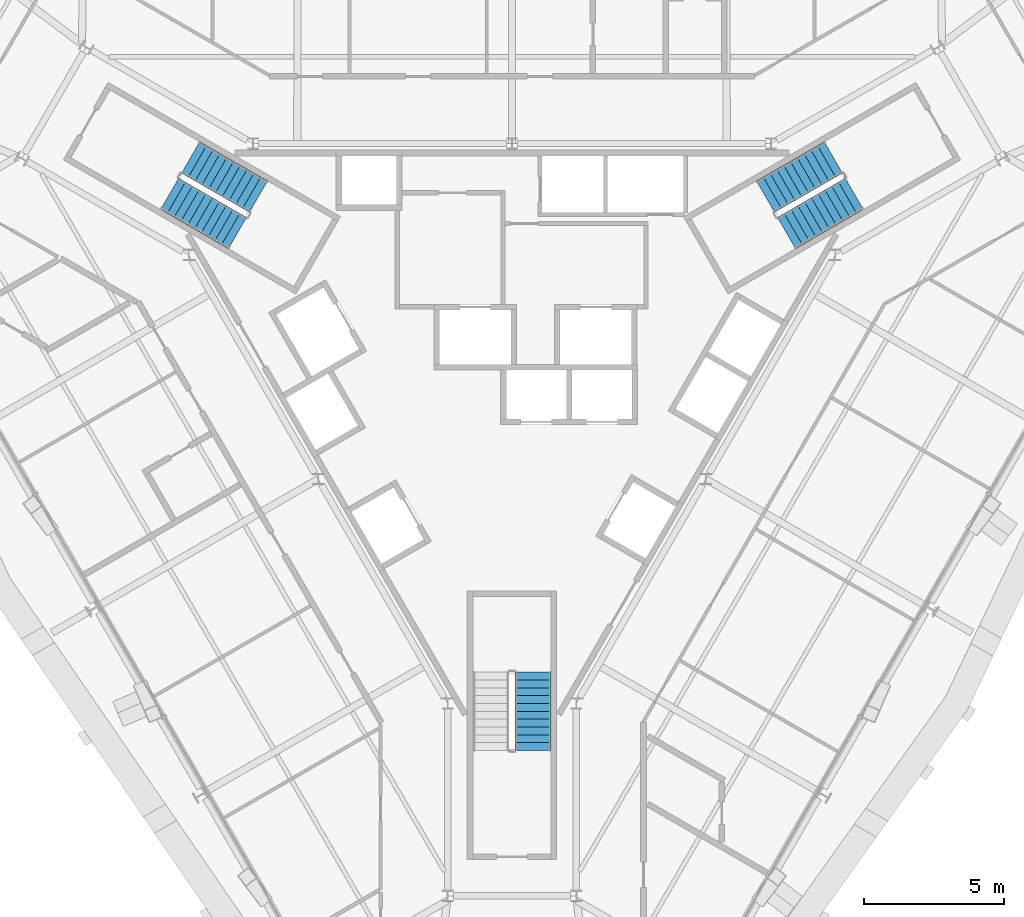
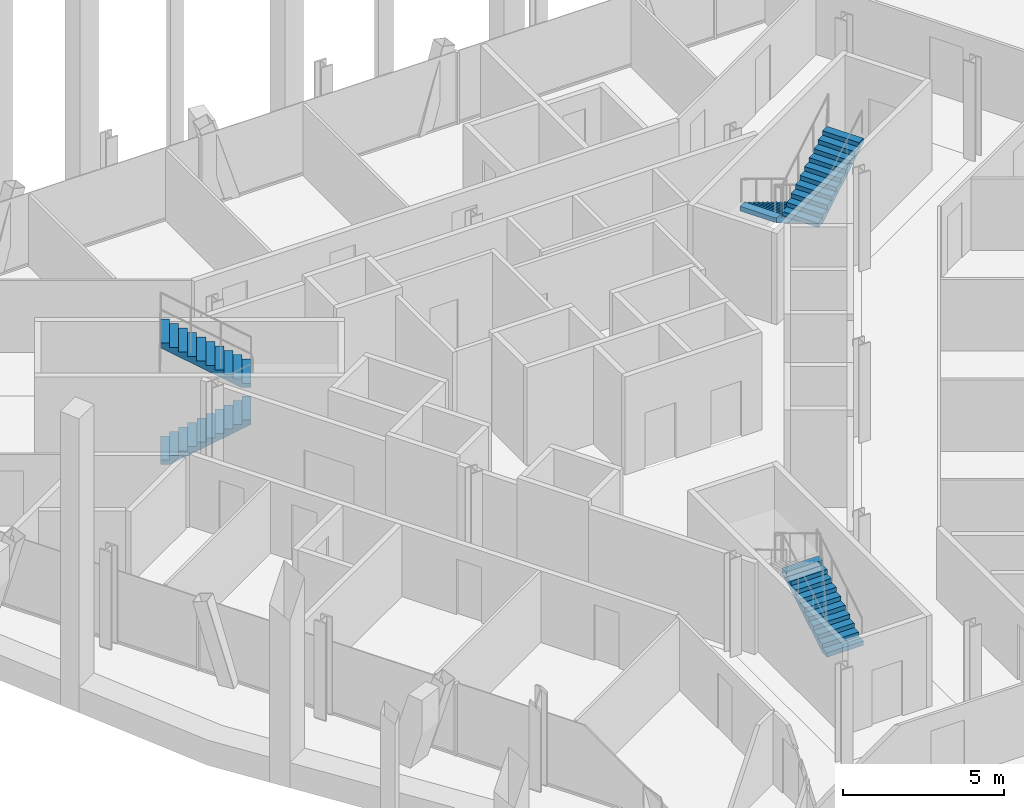
# One storey, part 11 of 13: 5 stair flights, 3 elements without a shape of their own.
"""IFC4 building model written with IfcOpenShell, lengths in metres."""

from ifc_helpers import new_model, si_unit, direction, frame, origin, place, context, subcontext, project, spatial, polyline, outline, extrude, material, type_object, element, aggregate, save


model = new_model("IFC4")

# Units and contexts
model_context = context("Model", 3, precision=1e-05, world=origin(), true_north=direction((0.0, 1.0)))
body_context = subcontext(model_context, "Body", "Model", "MODEL_VIEW")
ifc_project = project(units=[si_unit("LENGTHUNIT", "METRE"), si_unit("AREAUNIT", "SQUARE_METRE"), si_unit("VOLUMEUNIT", "CUBIC_METRE"), si_unit("PLANEANGLEUNIT", "RADIAN"), si_unit("MASSUNIT", "GRAM", prefix="KILO")], contexts=[model_context])

# Site, building, storey
site_placement = place(None, origin())
site = spatial("IfcSite", under=ifc_project, at=site_placement, CompositionType="ELEMENT")
building_placement = place(site_placement, origin())
building = spatial("IfcBuilding", under=site, at=building_placement, Name="Verrane Prism Tower", CompositionType="ELEMENT")
storey_placement = place(building_placement, frame((0.0, 0.0, 159.89990234375)))
storey = spatial("IfcBuildingStorey", under=building, at=storey_placement, Name="L39", CompositionType="ELEMENT", Elevation=159.89990234375)

# Stair, stair flights
ifc_material_1 = material(Name="Concrete C40/50", Category="concrete")
stair_type = type_object("IfcStairType", Name="Exit stair 1300 dog-leg precast concrete C40/50", PredefinedType="HALF_TURN_STAIR", material=ifc_material_1)
stair_1_placement = place(storey_placement, origin())
stair_1 = element("IfcStair", 1, at=stair_1_placement, inside=storey, type_object=stair_type, Name="Stair 1 L39", PredefinedType="HALF_TURN_STAIR")
ifc_material_2 = material(Name="Concrete C40/50", Category="concrete")
stair_flight_type = type_object("IfcStairFlightType", Name="Stair flight 1300 precast concrete C40/50", PredefinedType="STRAIGHT", material=ifc_material_2)
stair_flight_1_placement = place(storey_placement, frame((11.489501953125, 7.49951171875, 0.0), z_axis=(0.0, 0.0, 1.0), x_axis=(-0.866025403784, -0.5, 0.0)))
stair_flight_1 = element("IfcStairFlight", 2, at=stair_flight_1_placement, type_object=stair_flight_type, Name="Stair 1 flight 1", NumberOfRisers=11, NumberOfTreads=10, PredefinedType="STRAIGHT", RiserHeight=0.168181818, TreadLength=0.28, context=body_context, shape_type="SweptSolid", body=[
    extrude(outline(polyline([(0.0, 0.0), (0.0, 0.168212890625), (0.280029296875, 0.168212890625), (0.280029296875, 0.33642578125), (0.56005859375, 0.33642578125), (0.56005859375, 0.504638671875), (0.840087890625, 0.504638671875), (0.840087890625, 0.672607421875), (1.1201171875, 0.672607421875), (1.1201171875, 0.8408203125), (1.39990234375, 0.8408203125), (1.39990234375, 1.009033203125), (1.679931640625, 1.009033203125), (1.679931640625, 1.17724609375), (1.9599609375, 1.17724609375), (1.9599609375, 1.345458984375), (2.239990234375, 1.345458984375), (2.239990234375, 1.513671875), (2.52001953125, 1.513671875), (2.52001953125, 1.681884765625), (2.800048828125, 1.681884765625), (2.800048828125, 1.85009765625), (2.800048828125, 1.5068359375), (0.291015625, 0.0), (0.0, 0.0)])), frame((0.0, 0.64990234375, 0.0), z_axis=(0.0, -1.0, 0.0), x_axis=(1.0, 0.0, 0.0)), (0.0, 0.0, 1.0), 1.300048828125),
])
stair_flight_2_placement = place(storey_placement, frame((9.814697265625, 4.800537109375, 1.85009765625), z_axis=(0.0, 0.0, 1.0), x_axis=(0.866025403784, 0.5, 0.0)))
stair_flight_2 = element("IfcStairFlight", 3, at=stair_flight_2_placement, type_object=stair_flight_type, Name="Stair 1 flight 2", NumberOfRisers=11, NumberOfTreads=10, PredefinedType="STRAIGHT", RiserHeight=0.168181818, TreadLength=0.28, context=body_context, shape_type="SweptSolid", body=[
    extrude(outline(polyline([(0.0, 0.0), (0.0, 0.168212890625), (0.280029296875, 0.168212890625), (0.280029296875, 0.33642578125), (0.56005859375, 0.33642578125), (0.56005859375, 0.504638671875), (0.840087890625, 0.504638671875), (0.840087890625, 0.672607421875), (1.1201171875, 0.672607421875), (1.1201171875, 0.8408203125), (1.39990234375, 0.8408203125), (1.39990234375, 1.009033203125), (1.679931640625, 1.009033203125), (1.679931640625, 1.17724609375), (1.9599609375, 1.17724609375), (1.9599609375, 1.345458984375), (2.239990234375, 1.345458984375), (2.239990234375, 1.513671875), (2.52001953125, 1.513671875), (2.52001953125, 1.681884765625), (2.800048828125, 1.681884765625), (2.800048828125, 1.85009765625), (2.800048828125, 1.5068359375), (0.291015625, 0.0), (0.0, 0.0)])), frame((0.0, 0.64990234375, 0.0), z_axis=(0.0, -1.0, 0.0), x_axis=(1.0, 0.0, 0.0)), (0.0, 0.0, 1.0), 1.300048828125),
])
aggregate(stair_1, [stair_flight_1, stair_flight_2])

stair_2_placement = place(storey_placement, origin())
stair_2 = element("IfcStair", 4, at=stair_2_placement, inside=storey, type_object=stair_type, Name="Stair 2 L39", PredefinedType="HALF_TURN_STAIR")
stair_flight_3_placement = place(storey_placement, frame((-12.239501953125, 6.200439453125, 0.0), z_axis=(0.0, 0.0, 1.0), x_axis=(0.866025403784, -0.5, 0.0)))
stair_flight_3 = element("IfcStairFlight", 5, at=stair_flight_3_placement, type_object=stair_flight_type, Name="Stair 2 flight 1", NumberOfRisers=11, NumberOfTreads=10, PredefinedType="STRAIGHT", RiserHeight=0.168181818, TreadLength=0.28, context=body_context, shape_type="SweptSolid", body=[
    extrude(outline(polyline([(0.0, 0.0), (0.0, 0.168212890625), (0.280029296875, 0.168212890625), (0.280029296875, 0.33642578125), (0.56005859375, 0.33642578125), (0.56005859375, 0.504638671875), (0.840087890625, 0.504638671875), (0.840087890625, 0.672607421875), (1.1201171875, 0.672607421875), (1.1201171875, 0.8408203125), (1.39990234375, 0.8408203125), (1.39990234375, 1.009033203125), (1.679931640625, 1.009033203125), (1.679931640625, 1.17724609375), (1.9599609375, 1.17724609375), (1.9599609375, 1.345458984375), (2.239990234375, 1.345458984375), (2.239990234375, 1.513671875), (2.52001953125, 1.513671875), (2.52001953125, 1.681884765625), (2.800048828125, 1.681884765625), (2.800048828125, 1.85009765625), (2.800048828125, 1.5068359375), (0.291015625, 0.0), (0.0, 0.0)])), frame((0.0, 0.64990234375, 0.0), z_axis=(0.0, -1.0, 0.0), x_axis=(1.0, 0.0, 0.0)), (0.0, 0.0, 1.0), 1.300048828125),
])
stair_flight_4_placement = place(storey_placement, frame((-9.064697265625, 6.099609375, 1.85009765625), z_axis=(0.0, 0.0, 1.0), x_axis=(-0.866025403784, 0.5, 0.0)))
stair_flight_4 = element("IfcStairFlight", 6, at=stair_flight_4_placement, type_object=stair_flight_type, Name="Stair 2 flight 2", NumberOfRisers=11, NumberOfTreads=10, PredefinedType="STRAIGHT", RiserHeight=0.168181818, TreadLength=0.28, context=body_context, shape_type="SweptSolid", body=[
    extrude(outline(polyline([(0.0, 0.0), (0.0, 0.168212890625), (0.280029296875, 0.168212890625), (0.280029296875, 0.33642578125), (0.56005859375, 0.33642578125), (0.56005859375, 0.504638671875), (0.840087890625, 0.504638671875), (0.840087890625, 0.672607421875), (1.1201171875, 0.672607421875), (1.1201171875, 0.8408203125), (1.39990234375, 0.8408203125), (1.39990234375, 1.009033203125), (1.679931640625, 1.009033203125), (1.679931640625, 1.17724609375), (1.9599609375, 1.17724609375), (1.9599609375, 1.345458984375), (2.239990234375, 1.345458984375), (2.239990234375, 1.513671875), (2.52001953125, 1.513671875), (2.52001953125, 1.681884765625), (2.800048828125, 1.681884765625), (2.800048828125, 1.85009765625), (2.800048828125, 1.5068359375), (0.291015625, 0.0), (0.0, 0.0)])), frame((0.0, 0.64990234375, 0.0), z_axis=(0.0, -1.0, 0.0), x_axis=(1.0, 0.0, 0.0)), (0.0, 0.0, 1.0), 1.300048828125),
])
aggregate(stair_2, [stair_flight_3, stair_flight_4])

# Stair, stair flight
stair_3_placement = place(storey_placement, origin())
stair_3 = element("IfcStair", 7, at=stair_3_placement, inside=storey, type_object=stair_type, Name="Stair 3 L39", PredefinedType="HALF_TURN_STAIR")
stair_flight_5_placement = place(storey_placement, frame((0.75, -13.699951171875, 0.0), z_axis=(0.0, 0.0, 1.0), x_axis=(0.0, 1.0, 0.0)))
stair_flight_5 = element("IfcStairFlight", 8, at=stair_flight_5_placement, type_object=stair_flight_type, Name="Stair 3 flight 1", NumberOfRisers=11, NumberOfTreads=10, PredefinedType="STRAIGHT", RiserHeight=0.168181818, TreadLength=0.28, context=body_context, shape_type="SweptSolid", body=[
    extrude(outline(polyline([(0.0, 0.0), (0.0, 0.168212890625), (0.280029296875, 0.168212890625), (0.280029296875, 0.33642578125), (0.56005859375, 0.33642578125), (0.56005859375, 0.504638671875), (0.840087890625, 0.504638671875), (0.840087890625, 0.672607421875), (1.1201171875, 0.672607421875), (1.1201171875, 0.8408203125), (1.39990234375, 0.8408203125), (1.39990234375, 1.009033203125), (1.679931640625, 1.009033203125), (1.679931640625, 1.17724609375), (1.9599609375, 1.17724609375), (1.9599609375, 1.345458984375), (2.239990234375, 1.345458984375), (2.239990234375, 1.513671875), (2.52001953125, 1.513671875), (2.52001953125, 1.681884765625), (2.800048828125, 1.681884765625), (2.800048828125, 1.85009765625), (2.800048828125, 1.5068359375), (0.291015625, 0.0), (0.0, 0.0)])), frame((0.0, 0.64990234375, 0.0), z_axis=(0.0, -1.0, 0.0), x_axis=(1.0, 0.0, 0.0)), (0.0, 0.0, 1.0), 1.300048828125),
])
aggregate(stair_3, [stair_flight_5])

save(model, "model.ifc")
